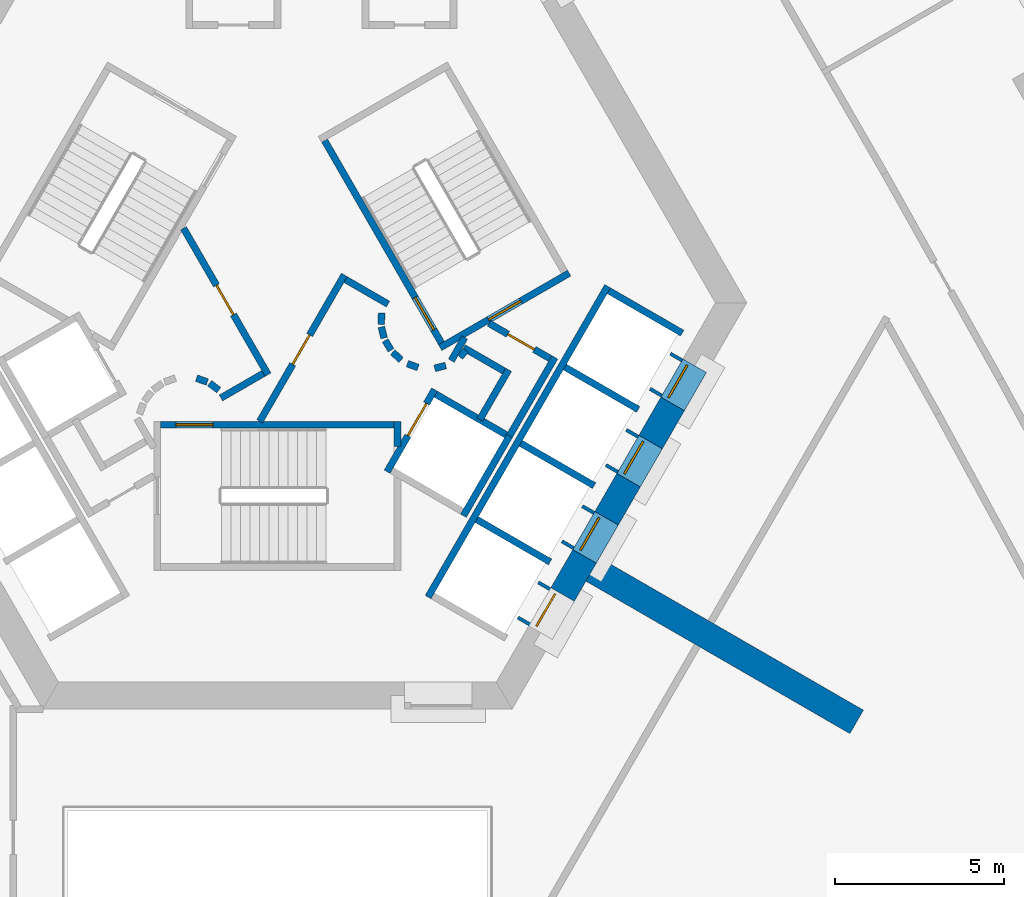
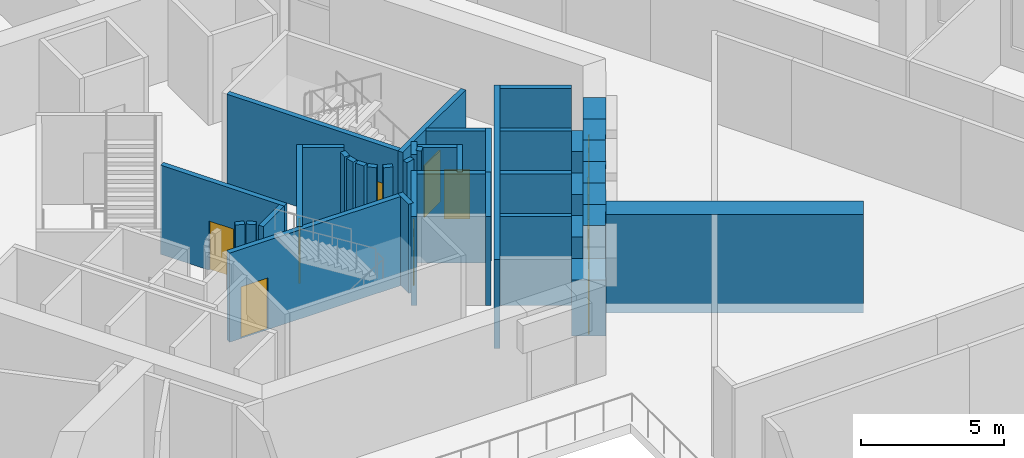
# One storey, part 7 of 17: 41 walls, 11 doors, 11 openings.
"""IFC4 building model written with IfcOpenShell, lengths in metres."""

from ifc_helpers import new_model, si_unit, direction, frame, frame_2d, origin, place, context, subcontext, project, spatial, polyline, rectangle, outline, extrude, material, layer, layer_set, type_object, element, fill, save


model = new_model("IFC4")

# Units and contexts
model_context = context("Model", 3, precision=1e-05, world=origin(), true_north=direction((0.0, 1.0)))
body_context = subcontext(model_context, "Body", "Model", "MODEL_VIEW")
ifc_project = project(units=[si_unit("LENGTHUNIT", "METRE"), si_unit("AREAUNIT", "SQUARE_METRE"), si_unit("VOLUMEUNIT", "CUBIC_METRE"), si_unit("PLANEANGLEUNIT", "RADIAN"), si_unit("MASSUNIT", "GRAM", prefix="KILO")], contexts=[model_context])

# Site, building, storey
site_placement = place(None, origin())
site = spatial("IfcSite", under=ifc_project, at=site_placement, CompositionType="ELEMENT")
building_placement = place(site_placement, origin())
building = spatial("IfcBuilding", under=site, at=building_placement, Name="Entoto Arch Interchange Tower", CompositionType="ELEMENT")
storey_placement = place(building_placement, frame((0.0, 0.0, 167.60009765625)))
storey = spatial("IfcBuildingStorey", under=building, at=storey_placement, Name="L37", CompositionType="ELEMENT", Elevation=167.60009765625)

# Walls
ifc_material_1 = material(Name="Concrete C50/60", Category="concrete")
ifc_layer_1 = layer(ifc_material_1, 0.800048828125)
ifc_layer_set_1 = layer_set([ifc_layer_1], Name="Concrete C50/60")
wall_type_1 = type_object("IfcWallType", Name="Buttress wall 800 C50/60", PredefinedType="SHEAR", material=ifc_layer_set_1)
wall_1_placement = place(storey_placement, frame((9.31005859375, -5.375, -0.400146484375), z_axis=(0.0, 0.0, 1.0), x_axis=(0.866017533419, -0.500013631625, 0.0)))
element("IfcWall", 1, at=wall_1_placement, inside=storey, type_object=wall_type_1, Name="Buttress wall SE L37", PredefinedType="SHEAR", context=body_context, shape_type="SweptSolid", body=[
    extrude(rectangle(XDim=8.999755859375, YDim=0.800048828125, at=frame_2d((4.5, 0.0))), origin(), (0.0, 0.0, 1.0), 4.199951171875),
])
ifc_layer_2 = layer(ifc_material_1, 0.800048828125)
ifc_layer_set_2 = layer_set([ifc_layer_2], Name="Concrete C50/60")
wall_type_2 = type_object("IfcWallType", Name="Core wall 800 C50/60", PredefinedType="SHEAR", material=ifc_layer_set_2)
wall_2_placement = place(storey_placement, frame((0.0, 0.0, -0.400146484375)))
element("IfcWall", 2, at=wall_2_placement, inside=storey, type_object=wall_type_2, Name="Core wall SE L37", PredefinedType="SHEAR", context=body_context, shape_type="SweptSolid", body=[
    extrude(outline(polyline([(9.4169921875, -5.18896484375), (8.72412109375, -4.7890625), (8.074951171875, -5.9140625), (8.76708984375, -6.31396484375), (9.4169921875, -5.18896484375)])), origin(), (0.0, 0.0, 1.0), 4.199951171875),
])
wall_3_placement = place(storey_placement, frame((0.0, 0.0, -0.400146484375)))
element("IfcWall", 3, at=wall_3_placement, inside=storey, type_object=wall_type_2, Name="Core wall SE L37", PredefinedType="SHEAR", context=body_context, shape_type="SweptSolid", body=[
    extrude(outline(polyline([(10.717041015625, -2.93701171875), (10.02490234375, -2.537109375), (9.3740234375, -3.6630859375), (10.06689453125, -4.06298828125), (10.717041015625, -2.93701171875)])), origin(), (0.0, 0.0, 1.0), 4.199951171875),
])
wall_4_placement = place(storey_placement, frame((0.0, 0.0, -0.400146484375)))
element("IfcWall", 4, at=wall_4_placement, inside=storey, type_object=wall_type_2, Name="Core wall SE L37", PredefinedType="SHEAR", context=body_context, shape_type="SweptSolid", body=[
    extrude(outline(polyline([(12.01708984375, -0.68603515625), (11.323974609375, -0.285888671875), (10.675048828125, -1.410888671875), (11.366943359375, -1.81103515625), (12.01708984375, -0.68603515625)])), origin(), (0.0, 0.0, 1.0), 4.199951171875),
])
wall_5_placement = place(storey_placement, frame((0.0, 0.0, 3.599853515625)))
element("IfcWall", 5, at=wall_5_placement, inside=storey, type_object=wall_type_2, Name="Core wall lintel SE L37", PredefinedType="SHEAR", context=body_context, shape_type="SweptSolid", body=[
    extrude(outline(polyline([(10.06689453125, -4.06298828125), (9.3740234375, -3.6630859375), (8.72412109375, -4.7890625), (9.4169921875, -5.18896484375), (10.06689453125, -4.06298828125)])), origin(), (0.0, 0.0, 1.0), 0.199951171875),
])
wall_6_placement = place(storey_placement, frame((0.0, 0.0, 3.599853515625)))
element("IfcWall", 6, at=wall_6_placement, inside=storey, type_object=wall_type_2, Name="Core wall lintel SE L37", PredefinedType="SHEAR", context=body_context, shape_type="SweptSolid", body=[
    extrude(outline(polyline([(11.366943359375, -1.81103515625), (10.675048828125, -1.410888671875), (10.02490234375, -2.537109375), (10.717041015625, -2.93701171875), (11.366943359375, -1.81103515625)])), origin(), (0.0, 0.0, 1.0), 0.199951171875),
])
wall_7_placement = place(storey_placement, frame((0.0, 0.0, 3.599853515625)))
element("IfcWall", 7, at=wall_7_placement, inside=storey, type_object=wall_type_2, Name="Core wall lintel SE L37", PredefinedType="SHEAR", context=body_context, shape_type="SweptSolid", body=[
    extrude(outline(polyline([(12.6669921875, 0.43994140625), (11.97412109375, 0.840087890625), (11.323974609375, -0.285888671875), (12.01708984375, -0.68603515625), (12.6669921875, 0.43994140625)])), origin(), (0.0, 0.0, 1.0), 0.199951171875),
])

# Wall, opening, door
ifc_material_2 = material(Name="Concrete C40/50", Category="concrete")
ifc_layer_3 = layer(ifc_material_2, 1.199951171875)
ifc_layer_set_3 = layer_set([ifc_layer_3], Name="Concrete C40/50")
wall_type_3 = type_object("IfcWallType", Name="LIFT LANDING INFILL WALL", PredefinedType="STANDARD", material=ifc_layer_set_3)
wall_8_placement = place(storey_placement, frame((7.597900390625, -7.139892578125, 0.0), z_axis=(0.0, 0.0, 1.0), x_axis=(0.500362116554, 0.865816234728, 0.0)))
wall_8 = element("IfcWall", 8, at=wall_8_placement, inside=storey, type_object=wall_type_3, Name="Lift landing infill wall LR5 L37", PredefinedType="STANDARD", context=body_context, shape_type="SweptSolid", body=[
    extrude(rectangle(XDim=1.29931640625, YDim=1.199951171875, at=frame_2d((0.649658203125, 0.0))), origin(), (0.0, 0.0, 1.0), 2.39990234375),
])
opening_1_placement = place(wall_8_placement, frame((0.10009765625, 0.0, 0.0)))
opening_1 = element("IfcOpeningElement", 9, at=opening_1_placement, cuts=wall_8, Name="Opening LD-LR5-L37", PredefinedType="OPENING", context=body_context, shape_type="SweptSolid", body=[
    extrude(rectangle(XDim=1.10009765625, YDim=2.300048828125, at=frame_2d((0.550048828125, 1.14990234375))), frame((0.0, 0.60986328125, 0.0), z_axis=(0.0, -1.0, 0.0), x_axis=(1.0, 0.0, 0.0)), (0.0, 0.0, 1.0), 1.219970703125),
])
ifc_material_3 = material(Name="Stainless steel 1.4301 panels", Category="steel")
door_type_1 = type_object("IfcDoorType", Name="LIFT LANDING DOOR LD2 1100x2300", OperationType="SLIDING_TO_LEFT", PredefinedType="DOOR", material=ifc_material_3)
door_1_placement = place(opening_1_placement, origin())
door_1 = element("IfcDoor", 10, at=door_1_placement, inside=storey, type_object=door_type_1, Name="Lift landing door LR5 L37", OperationType="SLIDING_TO_LEFT", OverallHeight=2.300048828125, OverallWidth=1.10009765625, PredefinedType="DOOR", context=body_context, shape_type="SweptSolid", body=[
    extrude(rectangle(XDim=1.10009765625, YDim=2.300048828125, at=frame_2d((0.550048828125, 1.14990234375))), frame((0.0, 0.02490234375, 0.0), z_axis=(0.0, -1.0, 0.0), x_axis=(1.0, 0.0, 0.0)), (0.0, 0.0, 1.0), 0.050048828125),
])
fill(opening_1, door_1)

wall_9_placement = place(storey_placement, frame((8.89794921875, -4.888916015625, 0.0), z_axis=(0.0, 0.0, 1.0), x_axis=(0.500036693733, 0.866004217611, 0.0)))
wall_9 = element("IfcWall", 11, at=wall_9_placement, inside=storey, type_object=wall_type_3, Name="Lift landing infill wall LR6 L37", PredefinedType="STANDARD", context=body_context, shape_type="SweptSolid", body=[
    extrude(rectangle(XDim=1.30029296875, YDim=1.199951171875, at=frame_2d((0.650146484375, 0.0))), origin(), (0.0, 0.0, 1.0), 2.39990234375),
])
opening_2_placement = place(wall_9_placement, frame((0.10009765625, 0.0, 0.0)))
opening_2 = element("IfcOpeningElement", 12, at=opening_2_placement, cuts=wall_9, Name="Opening LD-LR6-L37", PredefinedType="OPENING", context=body_context, shape_type="SweptSolid", body=[
    extrude(rectangle(XDim=1.10009765625, YDim=2.300048828125, at=frame_2d((0.550048828125, 1.14990234375))), frame((0.0, 0.60986328125, 0.0), z_axis=(0.0, -1.0, 0.0), x_axis=(1.0, 0.0, 0.0)), (0.0, 0.0, 1.0), 1.219970703125),
])
door_2_placement = place(opening_2_placement, origin())
door_2 = element("IfcDoor", 13, at=door_2_placement, inside=storey, type_object=door_type_1, Name="Lift landing door LR6 L37", OperationType="SLIDING_TO_LEFT", OverallHeight=2.300048828125, OverallWidth=1.10009765625, PredefinedType="DOOR", context=body_context, shape_type="SweptSolid", body=[
    extrude(rectangle(XDim=1.10009765625, YDim=2.300048828125, at=frame_2d((0.550048828125, 1.14990234375))), frame((0.0, 0.02490234375, 0.0), z_axis=(0.0, -1.0, 0.0), x_axis=(1.0, 0.0, 0.0)), (0.0, 0.0, 1.0), 0.050048828125),
])
fill(opening_2, door_2)

wall_10_placement = place(storey_placement, frame((10.197998046875, -2.636962890625, 0.0), z_axis=(0.0, 0.0, 1.0), x_axis=(0.49989585183, 0.866085525409, 0.0)))
wall_10 = element("IfcWall", 14, at=wall_10_placement, inside=storey, type_object=wall_type_3, Name="Lift landing infill wall LR7 L37", PredefinedType="STANDARD", context=body_context, shape_type="SweptSolid", body=[
    extrude(rectangle(XDim=1.300048828125, YDim=1.199951171875, at=frame_2d((0.64990234375, 0.0))), origin(), (0.0, 0.0, 1.0), 2.39990234375),
])
opening_3_placement = place(wall_10_placement, frame((0.10009765625, 0.0, 0.0)))
opening_3 = element("IfcOpeningElement", 15, at=opening_3_placement, cuts=wall_10, Name="Opening LD-LR7-L37", PredefinedType="OPENING", context=body_context, shape_type="SweptSolid", body=[
    extrude(rectangle(XDim=1.10009765625, YDim=2.300048828125, at=frame_2d((0.550048828125, 1.14990234375))), frame((0.0, 0.60986328125, 0.0), z_axis=(0.0, -1.0, 0.0), x_axis=(1.0, 0.0, 0.0)), (0.0, 0.0, 1.0), 1.219970703125),
])
door_3_placement = place(opening_3_placement, origin())
door_3 = element("IfcDoor", 16, at=door_3_placement, inside=storey, type_object=door_type_1, Name="Lift landing door LR7 L37", OperationType="SLIDING_TO_LEFT", OverallHeight=2.300048828125, OverallWidth=1.10009765625, PredefinedType="DOOR", context=body_context, shape_type="SweptSolid", body=[
    extrude(rectangle(XDim=1.10009765625, YDim=2.300048828125, at=frame_2d((0.550048828125, 1.14990234375))), frame((0.0, 0.02490234375, 0.0), z_axis=(0.0, -1.0, 0.0), x_axis=(1.0, 0.0, 0.0)), (0.0, 0.0, 1.0), 0.050048828125),
])
fill(opening_3, door_3)

wall_11_placement = place(storey_placement, frame((11.498046875, -0.385009765625, 0.0), z_axis=(0.0, 0.0, 1.0), x_axis=(0.500221244143, 0.865897630733, 0.0)))
wall_11 = element("IfcWall", 17, at=wall_11_placement, inside=storey, type_object=wall_type_3, Name="Lift landing infill wall LR8 L37", PredefinedType="STANDARD", context=body_context, shape_type="SweptSolid", body=[
    extrude(rectangle(XDim=1.29931640625, YDim=1.199951171875, at=frame_2d((0.649658203125, 0.0))), origin(), (0.0, 0.0, 1.0), 2.39990234375),
])
opening_4_placement = place(wall_11_placement, frame((0.10009765625, 0.0, 0.0)))
opening_4 = element("IfcOpeningElement", 18, at=opening_4_placement, cuts=wall_11, Name="Opening LD-LR8-L37", PredefinedType="OPENING", context=body_context, shape_type="SweptSolid", body=[
    extrude(rectangle(XDim=1.10009765625, YDim=2.300048828125, at=frame_2d((0.550048828125, 1.14990234375))), frame((0.0, 0.60986328125, 0.0), z_axis=(0.0, -1.0, 0.0), x_axis=(1.0, 0.0, 0.0)), (0.0, 0.0, 1.0), 1.219970703125),
])
door_4_placement = place(opening_4_placement, origin())
door_4 = element("IfcDoor", 19, at=door_4_placement, inside=storey, type_object=door_type_1, Name="Lift landing door LR8 L37", OperationType="SLIDING_TO_LEFT", OverallHeight=2.300048828125, OverallWidth=1.10009765625, PredefinedType="DOOR", context=body_context, shape_type="SweptSolid", body=[
    extrude(rectangle(XDim=1.10009765625, YDim=2.300048828125, at=frame_2d((0.550048828125, 1.14990234375))), frame((0.0, 0.02490234375, 0.0), z_axis=(0.0, -1.0, 0.0), x_axis=(1.0, 0.0, 0.0)), (0.0, 0.0, 1.0), 0.050048828125),
])
fill(opening_4, door_4)

ifc_layer_4 = layer(ifc_material_2, 0.199951171875)
ifc_layer_set_4 = layer_set([ifc_layer_4], Name="Concrete C40/50")
wall_type_4 = type_object("IfcWallType", Name="LIFT SHAFT WALL 200", PredefinedType="STANDARD", material=ifc_layer_set_4)
wall_12_placement = place(storey_placement, frame((3.239990234375, -2.488037109375, 0.0), z_axis=(0.0, 0.0, 1.0), x_axis=(0.49994636267, 0.866056369097, 0.0)))
wall_12 = element("IfcWall", 20, at=wall_12_placement, inside=storey, type_object=wall_type_4, Name="Shaft wall SE1 front", PredefinedType="STANDARD", context=body_context, shape_type="SweptSolid", body=[
    extrude(rectangle(XDim=2.800048828125, YDim=0.199951171875, at=frame_2d((1.39990234375, 0.0))), origin(), (0.0, 0.0, 1.0), 3.7998046875),
])
opening_5_placement = place(wall_12_placement, frame((1.22509765625, 0.0, 0.0)))
opening_5 = element("IfcOpeningElement", 21, at=opening_5_placement, cuts=wall_12, Name="Opening LD-FF1-L37", PredefinedType="OPENING", context=body_context, shape_type="SweptSolid", body=[
    extrude(rectangle(XDim=1.10009765625, YDim=2.10009765625, at=frame_2d((0.550048828125, 1.050048828125))), frame((0.0, 0.10986328125, 0.0), z_axis=(0.0, -1.0, 0.0), x_axis=(1.0, 0.0, 0.0)), (0.0, 0.0, 1.0), 0.219970703125),
])
door_type_2 = type_object("IfcDoorType", Name="LIFT LANDING DOOR LD1 1100x2100", OperationType="SLIDING_TO_LEFT", PredefinedType="DOOR", material=ifc_material_3)
door_5_placement = place(opening_5_placement, origin())
door_5 = element("IfcDoor", 22, at=door_5_placement, inside=storey, type_object=door_type_2, Name="Lift landing door FF1 L37", OperationType="SLIDING_TO_LEFT", OverallHeight=2.10009765625, OverallWidth=1.10009765625, PredefinedType="DOOR", context=body_context, shape_type="SweptSolid", body=[
    extrude(rectangle(XDim=1.10009765625, YDim=2.10009765625, at=frame_2d((0.550048828125, 1.050048828125))), frame((0.0, 0.02490234375, 0.0), z_axis=(0.0, -1.0, 0.0), x_axis=(1.0, 0.0, 0.0)), (0.0, 0.0, 1.0), 0.050048828125),
])
fill(opening_5, door_5)

# Walls
wall_13_placement = place(storey_placement, frame((5.491943359375, -3.7880859375, 0.0), z_axis=(0.0, 0.0, 1.0), x_axis=(0.500011755427, 0.866018616679, 0.0)))
element("IfcWall", 23, at=wall_13_placement, inside=storey, type_object=wall_type_4, Name="Shaft wall SE1 back", PredefinedType="STANDARD", context=body_context, shape_type="SweptSolid", body=[
    extrude(rectangle(XDim=2.80029296875, YDim=0.199951171875, at=frame_2d((1.400146484375, 0.0))), origin(), (0.0, 0.0, 1.0), 3.7998046875),
])
wall_14_placement = place(storey_placement, frame((4.677001953125, -0.199951171875, 0.0), z_axis=(0.0, 0.0, 1.0), x_axis=(0.865973769406, -0.500089422704, 0.0)))
element("IfcWall", 24, at=wall_14_placement, inside=storey, type_object=wall_type_4, Name="Shaft wall SE1 cross 2", PredefinedType="STANDARD", context=body_context, shape_type="SweptSolid", body=[
    extrude(rectangle(XDim=2.3994140625, YDim=0.199951171875, at=frame_2d((1.19970703125, 0.0))), origin(), (0.0, 0.0, 1.0), 3.7998046875),
])
wall_15_placement = place(storey_placement, frame((4.450927734375, -6.18994140625, 0.0), z_axis=(0.0, 0.0, 1.0), x_axis=(0.50000090737, 0.866024879913, 0.0)))
element("IfcWall", 25, at=wall_15_placement, inside=storey, type_object=wall_type_4, Name="Shaft wall SE3 front", PredefinedType="STANDARD", context=body_context, shape_type="SweptSolid", body=[
    extrude(rectangle(XDim=10.60009765625, YDim=0.199951171875, at=frame_2d((5.300048828125, 0.0))), origin(), (0.0, 0.0, 1.0), 3.7998046875),
])
for number, where, z_axis, x_axis, name in (
    (26, (5.887939453125, -3.902099609375, 0.0), (0.0, 0.0, 1.0), (0.866022959057, -0.500004234368, 0.0), "Shaft wall SE3 cross 2"),
    (27, (7.18798828125, -1.64990234375, 0.0), (0.0, 0.0, 1.0), (0.866022959057, -0.500004234368, 0.0), "Shaft wall SE3 cross 3"),
    (28, (8.488037109375, 0.60205078125, 0.0), (0.0, 0.0, 1.0), (0.866022959057, -0.500004234368, 0.0), "Shaft wall SE3 cross 4"),
):
    element("IfcWall", number, at=place(storey_placement, frame(where, z_axis=z_axis, x_axis=x_axis)), inside=storey, type_object=wall_type_4, Name=name, PredefinedType="STANDARD", context=body_context, shape_type="SweptSolid", body=[
        extrude(rectangle(XDim=2.5, YDim=0.199951171875, at=frame_2d((1.25, 0.0))), origin(), (0.0, 0.0, 1.0), 3.7998046875),
    ])
wall_16_placement = place(storey_placement, frame((9.7880859375, 2.85302734375, 0.0), z_axis=(0.0, 0.0, 1.0), x_axis=(0.865998541277, -0.500046524342, 0.0)))
element("IfcWall", 29, at=wall_16_placement, inside=storey, type_object=wall_type_4, Name="Shaft wall SE3 cross 5", PredefinedType="STANDARD", context=body_context, shape_type="SweptSolid", body=[
    extrude(rectangle(XDim=2.499755859375, YDim=0.199951171875, at=frame_2d((1.25, 0.0))), origin(), (0.0, 0.0, 1.0), 3.7998046875),
])
ifc_material_4 = material(Name="Gypsum board partition on steel studs", Category="steel")
ifc_layer_5 = layer(ifc_material_4, 0.199951171875)
ifc_layer_set_5 = layer_set([ifc_layer_5], Name="Gypsum board partition on steel studs")
wall_type_5 = type_object("IfcWallType", Name="PARTITION 200", PredefinedType="PARTITIONING", material=ifc_layer_set_5)
wall_17_placement = place(storey_placement, frame((5.389892578125, 0.89794921875, 0.0), z_axis=(0.0, 0.0, 1.0), x_axis=(0.673828488714, 0.738887791073, 0.0)))
element("IfcWall", 30, at=wall_17_placement, inside=storey, type_object=wall_type_5, Name="wall:L37:p086", PredefinedType="PARTITIONING", context=body_context, shape_type="SweptSolid", body=[
    extrude(rectangle(XDim=0.2626953125, YDim=0.199951171875, at=frame_2d((0.13134765625, 0.0))), origin(), (0.0, 0.0, 1.0), 3.7998046875),
])
wall_18_placement = place(storey_placement, frame((5.4990234375, 1.172119140625, 0.0), z_axis=(0.0, 0.0, 1.0), x_axis=(0.866333505267, -0.499465972466, 0.0)))
element("IfcWall", 31, at=wall_18_placement, inside=storey, type_object=wall_type_5, Name="wall:L37:p087", PredefinedType="PARTITIONING", context=body_context, shape_type="SweptSolid", body=[
    extrude(rectangle(XDim=1.37353515625, YDim=0.199951171875, at=frame_2d((0.686767578125, 0.0))), origin(), (0.0, 0.0, 1.0), 3.7998046875),
])
wall_19_placement = place(storey_placement, frame((6.825927734375, 0.52197265625, 0.0), z_axis=(0.0, 0.0, 1.0), x_axis=(-0.500016722714, -0.866015748706, 0.0)))
element("IfcWall", 32, at=wall_19_placement, inside=storey, type_object=wall_type_5, Name="wall:L37:p088", PredefinedType="PARTITIONING", context=body_context, shape_type="SweptSolid", body=[
    extrude(rectangle(XDim=1.69970703125, YDim=0.199951171875, at=frame_2d((0.849853515625, 0.0))), origin(), (0.0, 0.0, 1.0), 3.7998046875),
])

# Wall, opening, door
wall_20_placement = place(storey_placement, frame((6.25, 1.89404296875, 0.0), z_axis=(0.0, 0.0, 1.0), x_axis=(0.866043184279, -0.499969202016, 0.0)))
wall_20 = element("IfcWall", 33, at=wall_20_placement, inside=storey, type_object=wall_type_5, Name="wall:L37:p089", PredefinedType="PARTITIONING", context=body_context, shape_type="SweptSolid", body=[
    extrude(rectangle(XDim=2.084228515625, YDim=0.199951171875, at=frame_2d((1.0419921875, 0.0))), origin(), (0.0, 0.0, 1.0), 3.7998046875),
])
opening_6_placement = place(wall_20_placement, frame((0.64208984375, 0.0, 0.0)))
opening_6 = element("IfcOpeningElement", 34, at=opening_6_placement, cuts=wall_20, Name="Opening L37-D29", PredefinedType="OPENING", context=body_context, shape_type="SweptSolid", body=[
    extrude(rectangle(XDim=0.89990234375, YDim=2.10009765625, at=frame_2d((0.449951171875, 1.050048828125))), frame((0.0, 0.10986328125, 0.0), z_axis=(0.0, -1.0, 0.0), x_axis=(1.0, 0.0, 0.0)), (0.0, 0.0, 1.0), 0.219970703125),
])
ifc_material_5 = material(Name="Timber door leaf in Steel S235 frame", Category="steel")
door_type_3 = type_object("IfcDoorType", Name="DOOR DS-09 900x2100", OperationType="SINGLE_SWING_LEFT", PredefinedType="DOOR", material=ifc_material_5)
door_6_placement = place(opening_6_placement, origin())
door_6 = element("IfcDoor", 35, at=door_6_placement, inside=storey, type_object=door_type_3, Name="door:L37:29", OperationType="SINGLE_SWING_LEFT", OverallHeight=2.10009765625, OverallWidth=0.89990234375, PredefinedType="DOOR", context=body_context, shape_type="SweptSolid", body=[
    extrude(rectangle(XDim=0.89990234375, YDim=2.10009765625, at=frame_2d((0.449951171875, 1.050048828125))), frame((0.0, 0.02490234375, 0.0), z_axis=(0.0, -1.0, 0.0), x_axis=(1.0, 0.0, 0.0)), (0.0, 0.0, 1.0), 0.050048828125),
])
fill(opening_6, door_6)

# Walls
wall_21_placement = place(storey_placement, frame((8.19189453125, 0.887939453125, 0.0), z_axis=(0.0, 0.0, 1.0), x_axis=(-0.499940625693, -0.866059680843, 0.0)))
element("IfcWall", 36, at=wall_21_placement, inside=storey, type_object=wall_type_5, Name="wall:L37:p090", PredefinedType="PARTITIONING", context=body_context, shape_type="SweptSolid", body=[
    extrude(rectangle(XDim=2.679931640625, YDim=0.199951171875, at=frame_2d((1.33984375, 0.0))), origin(), (0.0, 0.0, 1.0), 3.7998046875),
])
wall_22_placement = place(storey_placement, frame((5.135009765625, 0.79296875, 0.0), z_axis=(0.0, 0.0, 1.0), x_axis=(0.499526442893, 0.866298639529, 0.0)))
element("IfcWall", 37, at=wall_22_placement, inside=storey, type_object=wall_type_5, Name="wall:L37:p091", PredefinedType="PARTITIONING", context=body_context, shape_type="SweptSolid", body=[
    extrude(rectangle(XDim=0.790771484375, YDim=0.199951171875, at=frame_2d((0.3955078125, 0.0))), origin(), (0.0, 0.0, 1.0), 3.7998046875),
])

# Wall, opening, door
wall_23_placement = place(storey_placement, frame((-0.52001953125, -1.0, 0.0), z_axis=(0.0, 0.0, 1.0), x_axis=(0.50011622646, 0.865958290007, 0.0)))
wall_23 = element("IfcWall", 38, at=wall_23_placement, inside=storey, type_object=wall_type_5, Name="wall:L37:p100", PredefinedType="PARTITIONING", context=body_context, shape_type="SweptSolid", body=[
    extrude(rectangle(XDim=4.990966796875, YDim=0.199951171875, at=frame_2d((2.49560546875, 0.0))), origin(), (0.0, 0.0, 1.0), 3.7998046875),
])
opening_7_placement = place(wall_23_placement, frame((1.945068359375, 0.0, 0.0)))
opening_7 = element("IfcOpeningElement", 39, at=opening_7_placement, cuts=wall_23, Name="Opening L37-D25", PredefinedType="OPENING", context=body_context, shape_type="SweptSolid", body=[
    extrude(rectangle(XDim=1.0, YDim=2.10009765625, at=frame_2d((0.5, 1.050048828125))), frame((0.0, 0.10986328125, 0.0), z_axis=(0.0, -1.0, 0.0), x_axis=(1.0, 0.0, 0.0)), (0.0, 0.0, 1.0), 0.219970703125),
])
ifc_material_6 = material(Name="Fire-rated Steel S235 door and frame", Category="steel")
door_type_4 = type_object("IfcDoorType", Name="DOOR FD-10 1000x2100", OperationType="SINGLE_SWING_LEFT", PredefinedType="DOOR", material=ifc_material_6)
door_7_placement = place(opening_7_placement, origin())
door_7 = element("IfcDoor", 40, at=door_7_placement, inside=storey, type_object=door_type_4, Name="door:L37:25", OperationType="SINGLE_SWING_LEFT", OverallHeight=2.10009765625, OverallWidth=1.0, PredefinedType="DOOR", context=body_context, shape_type="SweptSolid", body=[
    extrude(rectangle(XDim=1.0, YDim=2.10009765625, at=frame_2d((0.5, 1.050048828125))), frame((0.0, 0.02490234375, 0.0), z_axis=(0.0, -1.0, 0.0), x_axis=(1.0, 0.0, 0.0)), (0.0, 0.0, 1.0), 0.050048828125),
])
fill(opening_7, door_7)

# Walls
wall_24_placement = place(storey_placement, frame((2.011962890625, 3.18603515625, 0.0), z_axis=(0.0, 0.0, 1.0), x_axis=(0.865891012941, -0.500232699559, 0.0)))
element("IfcWall", 41, at=wall_24_placement, inside=storey, type_object=wall_type_5, Name="wall:L37:p101", PredefinedType="PARTITIONING", context=body_context, shape_type="SweptSolid", body=[
    extrude(rectangle(XDim=1.449462890625, YDim=0.199951171875, at=frame_2d((0.724609375, 0.0))), origin(), (0.0, 0.0, 1.0), 3.7998046875),
])
wall_25_placement = place(storey_placement, frame((3.0791015625, 2.198974609375, 0.0), z_axis=(0.0, 0.0, 1.0), x_axis=(-0.047771483479, -0.998858290933, 0.0)))
element("IfcWall", 42, at=wall_25_placement, inside=storey, type_object=wall_type_5, Name="wall:L37:p102", PredefinedType="PARTITIONING", context=body_context, shape_type="SweptSolid", body=[
    extrude(rectangle(XDim=0.33740234375, YDim=0.199951171875, at=frame_2d((0.168701171875, 0.0))), origin(), (0.0, 0.0, 1.0), 3.7998046875),
])
wall_26_placement = place(storey_placement, frame((3.070068359375, 1.785888671875, 0.0), z_axis=(0.0, 0.0, 1.0), x_axis=(0.242705583207, -0.970099994784, 0.0)))
element("IfcWall", 43, at=wall_26_placement, inside=storey, type_object=wall_type_5, Name="wall:L37:p103", PredefinedType="PARTITIONING", context=body_context, shape_type="SweptSolid", body=[
    extrude(rectangle(XDim=0.337890625, YDim=0.199951171875, at=frame_2d((0.1689453125, 0.0))), origin(), (0.0, 0.0, 1.0), 3.7998046875),
])
for number, where, z_axis, x_axis, name in (
    (44, (3.181884765625, 1.387939453125, 0.0), (0.0, 0.0, 1.0), (0.512474702713, -0.85870232274, 0.0), "wall:L37:p104"),
    (45, (3.404052734375, 1.0390625, 0.0), (0.0, 0.0, 1.0), (0.740267097712, -0.672312891476, 0.0), "wall:L37:p105"),
):
    element("IfcWall", number, at=place(storey_placement, frame(where, z_axis=z_axis, x_axis=x_axis)), inside=storey, type_object=wall_type_5, Name=name, PredefinedType="PARTITIONING", context=body_context, shape_type="SweptSolid", body=[
        extrude(rectangle(XDim=0.337646484375, YDim=0.199951171875, at=frame_2d((0.1689453125, 0.0))), origin(), (0.0, 0.0, 1.0), 3.7998046875),
    ])
wall_27_placement = place(storey_placement, frame((3.837890625, 0.701904296875, 0.0), z_axis=(0.0, 0.0, 1.0), x_axis=(0.941035081519, -0.338308993895, 0.0)))
element("IfcWall", 46, at=wall_27_placement, inside=storey, type_object=wall_type_5, Name="wall:L37:p106", PredefinedType="PARTITIONING", context=body_context, shape_type="SweptSolid", body=[
    extrude(rectangle(XDim=0.3369140625, YDim=0.199951171875, at=frame_2d((0.16845703125, 0.0))), origin(), (0.0, 0.0, 1.0), 3.7998046875),
])
wall_28_placement = place(storey_placement, frame((4.64404296875, 0.56396484375, 0.0), z_axis=(0.0, 0.0, 1.0), x_axis=(0.969929076366, 0.243387729394, 0.0)))
element("IfcWall", 47, at=wall_28_placement, inside=storey, type_object=wall_type_5, Name="wall:L37:p107", PredefinedType="PARTITIONING", context=body_context, shape_type="SweptSolid", body=[
    extrude(rectangle(XDim=0.337158203125, YDim=0.199951171875, at=frame_2d((0.16845703125, 0.0))), origin(), (0.0, 0.0, 1.0), 3.7998046875),
])

# Wall, opening, door
wall_29_placement = place(storey_placement, frame((-2.77099609375, 4.699951171875, 0.0), z_axis=(0.0, 0.0, 1.0), x_axis=(0.499969479948, -0.866043023828, 0.0)))
wall_29 = element("IfcWall", 48, at=wall_29_placement, inside=storey, type_object=wall_type_5, Name="wall:L37:p108", PredefinedType="PARTITIONING", context=body_context, shape_type="SweptSolid", body=[
    extrude(rectangle(XDim=4.990478515625, YDim=0.199951171875, at=frame_2d((2.4951171875, 0.0))), origin(), (0.0, 0.0, 1.0), 3.7998046875),
])
opening_8_placement = place(wall_29_placement, frame((1.945068359375, 0.0, 0.0)))
opening_8 = element("IfcOpeningElement", 49, at=opening_8_placement, cuts=wall_29, Name="Opening L37-D26", PredefinedType="OPENING", context=body_context, shape_type="SweptSolid", body=[
    extrude(rectangle(XDim=1.0, YDim=2.10009765625, at=frame_2d((0.5, 1.050048828125))), frame((0.0, 0.10986328125, 0.0), z_axis=(0.0, -1.0, 0.0), x_axis=(1.0, 0.0, 0.0)), (0.0, 0.0, 1.0), 0.219970703125),
])
door_8_placement = place(opening_8_placement, origin())
door_8 = element("IfcDoor", 50, at=door_8_placement, inside=storey, type_object=door_type_4, Name="door:L37:26", OperationType="SINGLE_SWING_RIGHT", OverallHeight=2.10009765625, OverallWidth=1.0, PredefinedType="DOOR", context=body_context, shape_type="SweptSolid", body=[
    extrude(rectangle(XDim=1.0, YDim=2.10009765625, at=frame_2d((0.5, 1.050048828125))), frame((0.0, 0.02490234375, 0.0), z_axis=(0.0, -1.0, 0.0), x_axis=(1.0, 0.0, 0.0)), (0.0, 0.0, 1.0), 0.050048828125),
])
fill(opening_8, door_8)

# Walls
wall_30_placement = place(storey_placement, frame((-0.412109375, 0.4140625, 0.0), z_axis=(0.0, 0.0, 1.0), x_axis=(-0.866017369001, -0.500013916395, 0.0)))
element("IfcWall", 51, at=wall_30_placement, inside=storey, type_object=wall_type_5, Name="wall:L37:p109", PredefinedType="PARTITIONING", context=body_context, shape_type="SweptSolid", body=[
    extrude(rectangle(XDim=1.4501953125, YDim=0.199951171875, at=frame_2d((0.72509765625, 0.0))), origin(), (0.0, 0.0, 1.0), 3.7998046875),
])
wall_31_placement = place(storey_placement, frame((-1.73095703125, -0.076904296875, 0.0), z_axis=(0.0, 0.0, 1.0), x_axis=(-0.804311165252, 0.594208338422, 0.0)))
element("IfcWall", 52, at=wall_31_placement, inside=storey, type_object=wall_type_5, Name="wall:L37:p110", PredefinedType="PARTITIONING", context=body_context, shape_type="SweptSolid", body=[
    extrude(rectangle(XDim=0.338134765625, YDim=0.199951171875, at=frame_2d((0.1689453125, 0.0))), origin(), (0.0, 0.0, 1.0), 3.7998046875),
])
wall_32_placement = place(storey_placement, frame((-2.070068359375, 0.159912109375, 0.0), z_axis=(0.0, 0.0, 1.0), x_axis=(-0.942199461132, 0.335052496547, 0.0)))
element("IfcWall", 53, at=wall_32_placement, inside=storey, type_object=wall_type_5, Name="wall:L37:p111", PredefinedType="PARTITIONING", context=body_context, shape_type="SweptSolid", body=[
    extrude(rectangle(XDim=0.33740234375, YDim=0.199951171875, at=frame_2d((0.168701171875, 0.0))), origin(), (0.0, 0.0, 1.0), 3.7998046875),
])
ifc_layer_6 = layer(ifc_material_2, 0.199951171875)
ifc_layer_set_6 = layer_set([ifc_layer_6], Name="Concrete C40/50")
wall_type_6 = type_object("IfcWallType", Name="STAIR ENCLOSURE WALL 200", PredefinedType="STANDARD", material=ifc_layer_set_6)
wall_33_placement = place(storey_placement, frame((3.550048828125, -1.0, 0.0), z_axis=(0.0, 0.0, 1.0), x_axis=(0.0, -1.0, 0.0)))
element("IfcWall", 54, at=wall_33_placement, inside=storey, type_object=wall_type_6, Name="Stair wall ST-S far return", PredefinedType="STANDARD", context=body_context, shape_type="SweptSolid", body=[
    extrude(rectangle(XDim=0.7509765625, YDim=0.199951171875, at=frame_2d((0.37548828125, 0.0))), origin(), (0.0, 0.0, 1.0), 3.7998046875),
])

# Wall, opening, door
wall_34_placement = place(storey_placement, frame((-3.449951171875, -1.10009765625, 0.0), z_axis=(0.0, 0.0, 1.0), x_axis=(1.0, 0.0, 0.0)))
wall_34 = element("IfcWall", 55, at=wall_34_placement, inside=storey, type_object=wall_type_6, Name="Stair wall ST-S hall", PredefinedType="STANDARD", context=body_context, shape_type="SweptSolid", body=[
    extrude(rectangle(XDim=6.89990234375, YDim=0.199951171875, at=frame_2d((3.449951171875, 0.0))), origin(), (0.0, 0.0, 1.0), 3.7998046875),
])
opening_9_placement = place(wall_34_placement, frame((0.449951171875, 0.0, 0.0)))
opening_9 = element("IfcOpeningElement", 56, at=opening_9_placement, cuts=wall_34, Name="Opening SD-ST-S-L37", PredefinedType="OPENING", context=body_context, shape_type="SweptSolid", body=[
    extrude(rectangle(XDim=1.10009765625, YDim=2.199951171875, at=frame_2d((0.550048828125, 1.10009765625))), frame((0.0, 0.10986328125, 0.0), z_axis=(0.0, -1.0, 0.0), x_axis=(1.0, 0.0, 0.0)), (0.0, 0.0, 1.0), 0.219970703125),
])
ifc_material_7 = material(Name="Steel S235", Category="steel")
door_type_5 = type_object("IfcDoorType", Name="STAIR DOOR SD1 1100x2200", OperationType="SINGLE_SWING_LEFT", PredefinedType="DOOR", material=ifc_material_7)
door_9_placement = place(opening_9_placement, origin())
door_9 = element("IfcDoor", 57, at=door_9_placement, inside=storey, type_object=door_type_5, Name="Stair door ST-S L37", OperationType="SINGLE_SWING_LEFT", OverallHeight=2.199951171875, OverallWidth=1.10009765625, PredefinedType="DOOR", context=body_context, shape_type="SweptSolid", body=[
    extrude(rectangle(XDim=1.10009765625, YDim=2.199951171875, at=frame_2d((0.550048828125, 1.10009765625))), frame((0.0, 0.02490234375, 0.0), z_axis=(0.0, -1.0, 0.0), x_axis=(1.0, 0.0, 0.0)), (0.0, 0.0, 1.0), 0.050048828125),
])
fill(opening_9, door_9)

wall_35_placement = place(storey_placement, frame((4.805908203125, 1.176025390625, 0.0), z_axis=(0.0, 0.0, 1.0), x_axis=(0.866059941101, 0.499940174841, 0.0)))
wall_35 = element("IfcWall", 58, at=wall_35_placement, inside=storey, type_object=wall_type_6, Name="Stair wall ST-NE near", PredefinedType="STANDARD", context=body_context, shape_type="SweptSolid", body=[
    extrude(rectangle(XDim=4.400390625, YDim=0.199951171875, at=frame_2d((2.2001953125, 0.0))), origin(), (0.0, 0.0, 1.0), 3.7998046875),
])
opening_10_placement = place(wall_35_placement, frame((1.64990234375, 0.0, 0.0)))
opening_10 = element("IfcOpeningElement", 59, at=opening_10_placement, cuts=wall_35, Name="Opening SD-ST-NE-L37-E", PredefinedType="OPENING", context=body_context, shape_type="SweptSolid", body=[
    extrude(rectangle(XDim=1.10009765625, YDim=2.199951171875, at=frame_2d((0.550048828125, 1.10009765625))), frame((0.0, 0.10986328125, 0.0), z_axis=(0.0, -1.0, 0.0), x_axis=(1.0, 0.0, 0.0)), (0.0, 0.0, 1.0), 0.219970703125),
])
door_10_placement = place(opening_10_placement, origin())
door_10 = element("IfcDoor", 60, at=door_10_placement, inside=storey, type_object=door_type_5, Name="Stair door ST-NE L37 end", OperationType="SINGLE_SWING_LEFT", OverallHeight=2.199951171875, OverallWidth=1.10009765625, PredefinedType="DOOR", context=body_context, shape_type="SweptSolid", body=[
    extrude(rectangle(XDim=1.10009765625, YDim=2.199951171875, at=frame_2d((0.550048828125, 1.10009765625))), frame((0.0, 0.02490234375, 0.0), z_axis=(0.0, -1.0, 0.0), x_axis=(1.0, 0.0, 0.0)), (0.0, 0.0, 1.0), 0.050048828125),
])
fill(opening_10, door_10)

wall_36_placement = place(storey_placement, frame((4.843017578125, 1.31201171875, 0.0), z_axis=(0.0, 0.0, 1.0), x_axis=(-0.499963383562, 0.866046543262, 0.0)))
wall_36 = element("IfcWall", 61, at=wall_36_placement, inside=storey, type_object=wall_type_6, Name="Stair wall ST-NE hall", PredefinedType="STANDARD", context=body_context, shape_type="SweptSolid", body=[
    extrude(rectangle(XDim=6.900390625, YDim=0.199951171875, at=frame_2d((3.4501953125, 0.0))), origin(), (0.0, 0.0, 1.0), 3.7998046875),
])
opening_11_placement = place(wall_36_placement, frame((0.449951171875, 0.0, 0.0)))
opening_11 = element("IfcOpeningElement", 62, at=opening_11_placement, cuts=wall_36, Name="Opening SD-ST-NE-L37", PredefinedType="OPENING", context=body_context, shape_type="SweptSolid", body=[
    extrude(rectangle(XDim=1.10009765625, YDim=2.199951171875, at=frame_2d((0.550048828125, 1.10009765625))), frame((0.0, 0.10986328125, 0.0), z_axis=(0.0, -1.0, 0.0), x_axis=(1.0, 0.0, 0.0)), (0.0, 0.0, 1.0), 0.219970703125),
])
door_11_placement = place(opening_11_placement, origin())
door_11 = element("IfcDoor", 63, at=door_11_placement, inside=storey, type_object=door_type_5, Name="Stair door ST-NE L37", OperationType="SINGLE_SWING_LEFT", OverallHeight=2.199951171875, OverallWidth=1.10009765625, PredefinedType="DOOR", context=body_context, shape_type="SweptSolid", body=[
    extrude(rectangle(XDim=1.10009765625, YDim=2.199951171875, at=frame_2d((0.550048828125, 1.10009765625))), frame((0.0, 0.02490234375, 0.0), z_axis=(0.0, -1.0, 0.0), x_axis=(1.0, 0.0, 0.0)), (0.0, 0.0, 1.0), 0.050048828125),
])
fill(opening_11, door_11)

save(model, "model.ifc")
